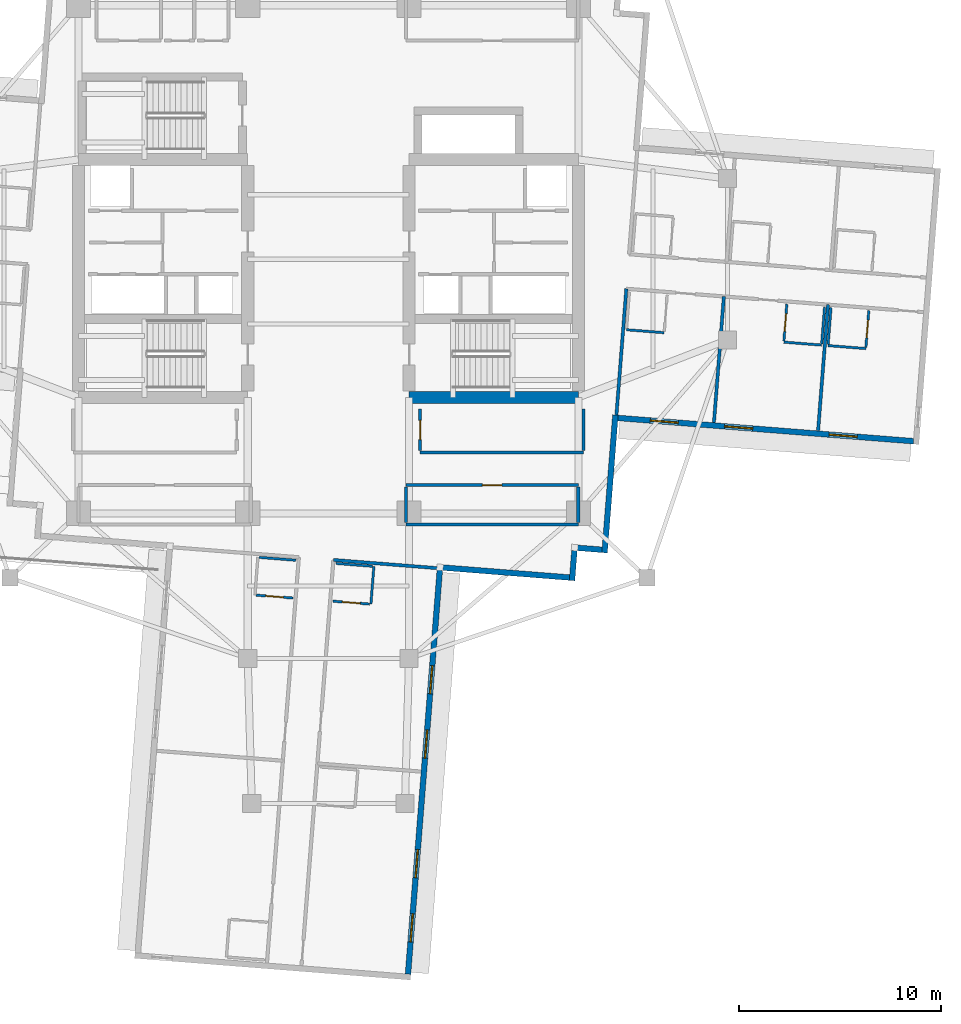
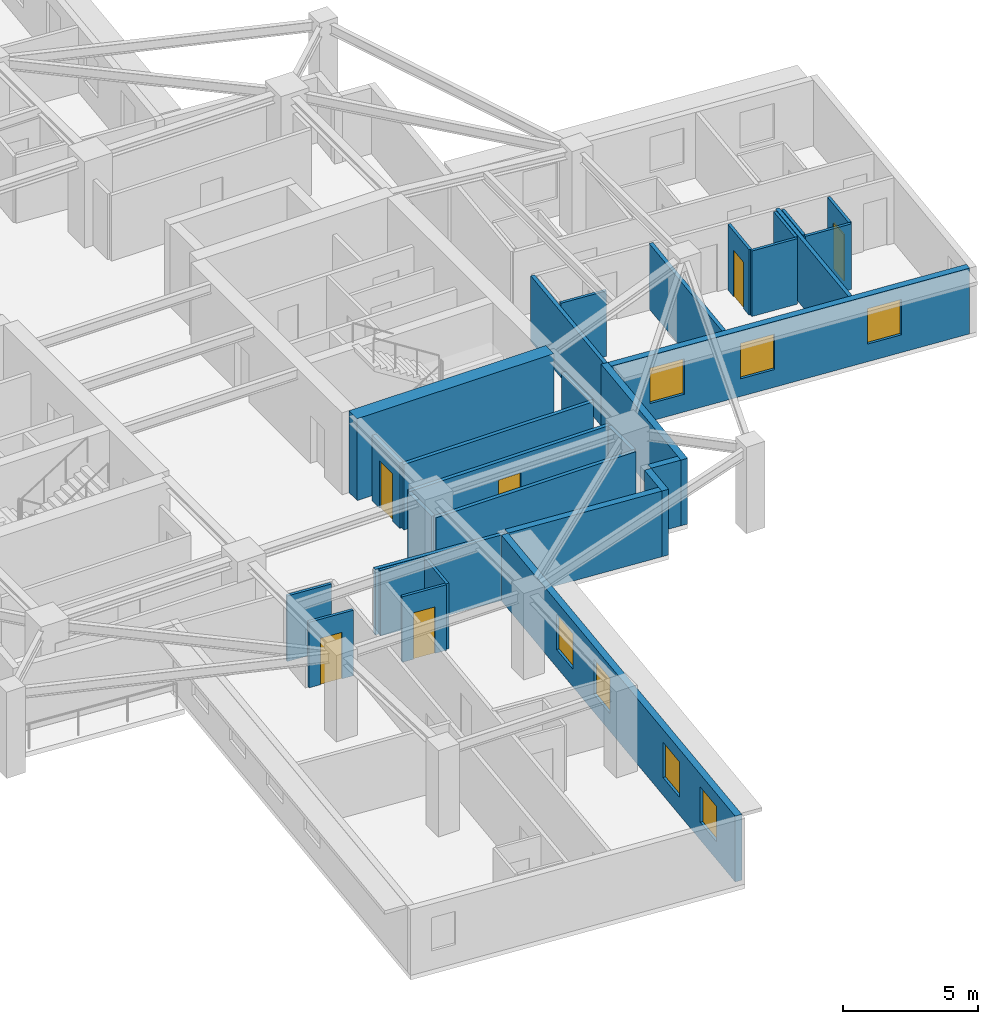
# One storey, part 4 of 14: 30 walls, 7 windows, 6 doors, 13 openings.
"""IFC4 building model written with IfcOpenShell, lengths in metres."""

from ifc_helpers import new_model, si_unit, direction, frame, frame_2d, origin, place, context, subcontext, project, spatial, rectangle, extrude, material, layer, layer_set, type_object, element, fill, save


model = new_model("IFC4")

# Units and contexts
model_context = context("Model", 3, precision=1e-05, world=origin(), true_north=direction((0.0, 1.0)))
body_context = subcontext(model_context, "Body", "Model", "MODEL_VIEW")
ifc_project = project(units=[si_unit("LENGTHUNIT", "METRE"), si_unit("AREAUNIT", "SQUARE_METRE"), si_unit("VOLUMEUNIT", "CUBIC_METRE"), si_unit("PLANEANGLEUNIT", "RADIAN"), si_unit("MASSUNIT", "GRAM", prefix="KILO")], contexts=[model_context])

# Site, building, storey
site_placement = place(None, origin())
site = spatial("IfcSite", under=ifc_project, at=site_placement, CompositionType="ELEMENT")
building_placement = place(site_placement, origin())
building = spatial("IfcBuilding", under=site, at=building_placement, Name="Qingluan Cross Belvedere", CompositionType="ELEMENT")
storey_placement = place(building_placement, frame((0.0, 0.0, 164.39990234375)))
storey = spatial("IfcBuildingStorey", under=building, at=storey_placement, Name="L41", CompositionType="ELEMENT", Elevation=164.39990234375)

# Walls
ifc_material_1 = material(Name="Concrete C60", Category="concrete")
ifc_layer_1 = layer(ifc_material_1, 0.60009765625, Name="CoreShearWall_600")
ifc_layer_set_1 = layer_set([ifc_layer_1], Name="Concrete C60")
wall_type_1 = type_object("IfcWallType", Name="CoreShearWall_600", PredefinedType="SHEAR", material=ifc_layer_set_1)
wall_1_placement = place(storey_placement, frame((4.0, -6.85009765625, 0.0), z_axis=(0.0, 0.0, 1.0), x_axis=(1.0, 0.0, 0.0)))
element("IfcWall", 1, at=wall_1_placement, inside=storey, type_object=wall_type_1, Name="Split core E shear wall L41-S", PredefinedType="SHEAR", context=body_context, shape_type="SweptSolid", body=[
    extrude(rectangle(XDim=8.39990234375, YDim=0.60009765625, at=frame_2d((4.199951171875, 0.0))), origin(), (0.0, 0.0, 1.0), 3.7001953125),
])
ifc_material_2 = material(Name="Gypsum plasterboard on steel stud acoustic partition", Category="steel")
ifc_layer_2 = layer(ifc_material_2, 0.159912109375, Name="CorridorPartition_160")
ifc_layer_set_2 = layer_set([ifc_layer_2], Name="Gypsum plasterboard on steel stud acoustic partition")
wall_type_2 = type_object("IfcWallType", Name="CorridorPartition_160", PredefinedType="PARTITIONING", material=ifc_layer_set_2)
wall_2_placement = place(storey_placement, frame((3.85009765625, -13.14990234375, 0.0), z_axis=(0.0, 0.0, 1.0), x_axis=(1.0, 0.0, 0.0)))
element("IfcWall", 2, at=wall_2_placement, inside=storey, type_object=wall_type_2, Name="Partition L41:q_se:S", PredefinedType="PARTITIONING", context=body_context, shape_type="SweptSolid", body=[
    extrude(rectangle(XDim=8.5498046875, YDim=0.159912109375, at=frame_2d((4.27490234375, 0.0))), origin(), (0.0, 0.0, 1.0), 2.960205078125),
])

# Wall, opening, door
wall_3_placement = place(storey_placement, frame((3.85009765625, -11.199951171875, 0.0), z_axis=(0.0, 0.0, 1.0), x_axis=(1.0, 0.0, 0.0)))
wall_3 = element("IfcWall", 3, at=wall_3_placement, inside=storey, type_object=wall_type_2, Name="Partition L41:q_se:N", PredefinedType="PARTITIONING", context=body_context, shape_type="SweptSolid", body=[
    extrude(rectangle(XDim=8.5498046875, YDim=0.159912109375, at=frame_2d((4.27490234375, 0.0))), origin(), (0.0, 0.0, 1.0), 2.960205078125),
])
opening_1_placement = place(wall_3_placement, frame((3.794921875, 0.0, 0.0)))
opening_1 = element("IfcOpeningElement", 4, at=opening_1_placement, cuts=wall_3, Name="Opening GD-10", PredefinedType="OPENING", context=body_context, shape_type="SweptSolid", body=[
    extrude(rectangle(XDim=0.9599609375, YDim=2.14990234375, at=frame_2d((0.47998046875, 1.074951171875))), frame((0.0, 0.08984375, 0.0), z_axis=(0.0, -1.0, 0.0), x_axis=(1.0, 0.0, 0.0)), (0.0, 0.0, 1.0), 0.179931640625),
])
ifc_material_3 = material(Name="Timber oak fire-rated acoustic guestroom door", Category="wood")
door_type_1 = type_object("IfcDoorType", Name="GuestEntryDoor_FD60", OperationType="NOTDEFINED", PredefinedType="DOOR", material=ifc_material_3)
door_1_placement = place(opening_1_placement, origin())
door_1 = element("IfcDoor", 5, at=door_1_placement, inside=storey, type_object=door_type_1, Name="Club cocktail lounge L41 door", OperationType="SINGLE_SWING_LEFT", OverallHeight=2.14990234375, OverallWidth=0.9599609375, PredefinedType="DOOR", context=body_context, shape_type="SweptSolid", body=[
    extrude(rectangle(XDim=0.9599609375, YDim=2.14990234375, at=frame_2d((0.47998046875, 1.074951171875))), frame((0.0, 0.02490234375, 0.0), z_axis=(0.0, -1.0, 0.0), x_axis=(1.0, 0.0, 0.0)), (0.0, 0.0, 1.0), 0.050048828125),
])
fill(opening_1, door_1)

# Walls
for number, where, z_axis, x_axis, name in (
    (6, (3.85009765625, -13.06494140625, 0.0), (0.0, 0.0, 1.0), (0.0, 1.0, 0.0), "Partition L41:q_se:W"),
    (7, (12.39990234375, -13.06494140625, 0.0), (0.0, 0.0, 1.0), (0.0, 1.0, 0.0), "Partition L41:q_se:E"),
):
    element("IfcWall", number, at=place(storey_placement, frame(where, z_axis=z_axis, x_axis=x_axis)), inside=storey, type_object=wall_type_2, Name=name, PredefinedType="PARTITIONING", context=body_context, shape_type="SweptSolid", body=[
        extrude(rectangle(XDim=1.780029296875, YDim=0.159912109375, at=frame_2d((0.89013671875, 0.0))), origin(), (0.0, 0.0, 1.0), 2.960205078125),
    ])
wall_4_placement = place(storey_placement, frame((4.550048828125, -9.580078125, 0.0), z_axis=(0.0, 0.0, 1.0), x_axis=(1.0, 0.0, 0.0)))
element("IfcWall", 8, at=wall_4_placement, inside=storey, type_object=wall_type_2, Name="Partition L41:rec_st4:S", PredefinedType="PARTITIONING", context=body_context, shape_type="SweptSolid", body=[
    extrude(rectangle(XDim=8.099853515625, YDim=0.159912109375, at=frame_2d((4.0498046875, 0.0))), origin(), (0.0, 0.0, 1.0), 2.960205078125),
])

# Wall, opening, door
wall_5_placement = place(storey_placement, frame((4.550048828125, -9.4951171875, 0.0), z_axis=(0.0, 0.0, 1.0), x_axis=(0.0, 1.0, 0.0)))
wall_5 = element("IfcWall", 9, at=wall_5_placement, inside=storey, type_object=wall_type_2, Name="Partition L41:rec_st4:W", PredefinedType="PARTITIONING", context=body_context, shape_type="SweptSolid", body=[
    extrude(rectangle(XDim=2.06005859375, YDim=0.159912109375, at=frame_2d((1.030029296875, 0.0))), origin(), (0.0, 0.0, 1.0), 2.960205078125),
])
opening_2_placement = place(wall_5_placement, frame((0.550048828125, 0.0, 0.0)))
opening_2 = element("IfcOpeningElement", 10, at=opening_2_placement, cuts=wall_5, Name="Opening GD-10", PredefinedType="OPENING", context=body_context, shape_type="SweptSolid", body=[
    extrude(rectangle(XDim=0.9599609375, YDim=2.14990234375, at=frame_2d((0.47998046875, 1.074951171875))), frame((0.0, 0.08984375, 0.0), z_axis=(0.0, -1.0, 0.0), x_axis=(1.0, 0.0, 0.0)), (0.0, 0.0, 1.0), 0.179931640625),
])
door_2_placement = place(opening_2_placement, origin())
door_2 = element("IfcDoor", 11, at=door_2_placement, inside=storey, type_object=door_type_1, Name="Southeast club library room L41 door", OperationType="SINGLE_SWING_RIGHT", OverallHeight=2.14990234375, OverallWidth=0.9599609375, PredefinedType="DOOR", context=body_context, shape_type="SweptSolid", body=[
    extrude(rectangle(XDim=0.9599609375, YDim=2.14990234375, at=frame_2d((0.47998046875, 1.074951171875))), frame((0.0, 0.02490234375, 0.0), z_axis=(0.0, -1.0, 0.0), x_axis=(1.0, 0.0, 0.0)), (0.0, 0.0, 1.0), 0.050048828125),
])
fill(opening_2, door_2)

# Walls
wall_6_placement = place(storey_placement, frame((12.64990234375, -9.4951171875, 0.0), z_axis=(0.0, 0.0, 1.0), x_axis=(0.0, 1.0, 0.0)))
element("IfcWall", 12, at=wall_6_placement, inside=storey, type_object=wall_type_2, Name="Partition L41:rec_st4:E", PredefinedType="PARTITIONING", context=body_context, shape_type="SweptSolid", body=[
    extrude(rectangle(XDim=2.06005859375, YDim=0.159912109375, at=frame_2d((1.030029296875, 0.0))), origin(), (0.0, 0.0, 1.0), 2.960205078125),
])
for number, where, z_axis, x_axis, name in (
    (13, (14.78076171875, -1.464111328125, 0.0), (0.0, 0.0, 1.0), (-0.078473432117, -0.996916205331, 0.0), "Partition L41:E:s1"),
    (14, (19.61767578125, -1.844970703125, 0.0), (0.0, 0.0, 1.0), (-0.078473432117, -0.996916205331, 0.0), "Partition L41:E:d1_0"),
):
    element("IfcWall", number, at=place(storey_placement, frame(where, z_axis=z_axis, x_axis=x_axis)), inside=storey, type_object=wall_type_2, Name=name, PredefinedType="PARTITIONING", context=body_context, shape_type="SweptSolid", body=[
        extrude(rectangle(XDim=6.27197265625, YDim=0.159912109375, at=frame_2d((3.135986328125, 0.0))), origin(), (0.0, 0.0, 1.0), 2.960205078125),
    ])
wall_7_placement = place(storey_placement, frame((24.78271484375, -2.25146484375, 0.0), z_axis=(0.0, 0.0, 1.0), x_axis=(-0.078476477418, -0.996915965612, 0.0)))
element("IfcWall", 15, at=wall_7_placement, inside=storey, type_object=wall_type_2, Name="Partition L41:E:d1_1", PredefinedType="PARTITIONING", context=body_context, shape_type="SweptSolid", body=[
    extrude(rectangle(XDim=6.271728515625, YDim=0.159912109375, at=frame_2d((3.1357421875, 0.0))), origin(), (0.0, 0.0, 1.0), 2.960205078125),
])
wall_8_placement = place(storey_placement, frame((0.25048828125, -14.91552734375, 0.0), z_axis=(0.0, 0.0, 1.0), x_axis=(0.996914675376, -0.07849286604, 0.0)))
element("IfcWall", 16, at=wall_8_placement, inside=storey, type_object=wall_type_2, Name="Partition L41:S:s0", PredefinedType="PARTITIONING", context=body_context, shape_type="SweptSolid", body=[
    extrude(rectangle(XDim=5.300048828125, YDim=0.159912109375, at=frame_2d((2.64990234375, 0.0))), origin(), (0.0, 0.0, 1.0), 2.960205078125),
])
ifc_material_4 = material(Name="Moisture-resistant gypsum board lining")
ifc_layer_3 = layer(ifc_material_4, 0.1201171875, Name="EnsuiteWetPartition_120")
ifc_layer_set_3 = layer_set([ifc_layer_3], Name="Moisture-resistant gypsum board lining")
wall_type_3 = type_object("IfcWallType", Name="EnsuiteWetPartition_120", PredefinedType="PARTITIONING", material=ifc_layer_set_3)
wall_9_placement = place(storey_placement, frame((14.78125, -3.49560546875, 0.0), z_axis=(0.0, 0.0, 1.0), x_axis=(0.996919293781, -0.07843418698, 0.0)))
element("IfcWall", 17, at=wall_9_placement, inside=storey, type_object=wall_type_3, Name="Partition L41:E:bc1_0", PredefinedType="PARTITIONING", context=body_context, shape_type="SweptSolid", body=[
    extrude(rectangle(XDim=1.880126953125, YDim=0.1201171875, at=frame_2d((0.93994140625, 0.0))), origin(), (0.0, 0.0, 1.0), 2.960205078125),
])

# Wall, opening, door
wall_10_placement = place(storey_placement, frame((22.59521484375, -4.04541015625, 0.0), z_axis=(0.0, 0.0, 1.0), x_axis=(0.0784709492, 0.996916400774, 0.0)))
wall_10 = element("IfcWall", 18, at=wall_10_placement, inside=storey, type_object=wall_type_3, Name="Partition L41:E:bs1_1", PredefinedType="PARTITIONING", context=body_context, shape_type="SweptSolid", body=[
    extrude(rectangle(XDim=1.820068359375, YDim=0.1201171875, at=frame_2d((0.91015625, 0.0))), origin(), (0.0, 0.0, 1.0), 2.960205078125),
])
opening_3_placement = place(wall_10_placement, frame((0.469970703125, 0.0, 0.0)))
opening_3 = element("IfcOpeningElement", 19, at=opening_3_placement, cuts=wall_10, Name="Opening BD-09", PredefinedType="OPENING", context=body_context, shape_type="SweptSolid", body=[
    extrude(rectangle(XDim=0.8798828125, YDim=2.10009765625, at=frame_2d((0.43994140625, 1.050048828125))), frame((0.0, 0.070068359375, 0.0), z_axis=(0.0, -1.0, 0.0), x_axis=(1.0, 0.0, 0.0)), (0.0, 0.0, 1.0), 0.14013671875),
])
ifc_material_5 = material(Name="Moisture-sealed timber en-suite door", Category="wood")
door_type_2 = type_object("IfcDoorType", Name="BathroomDoor_880", OperationType="NOTDEFINED", PredefinedType="DOOR", material=ifc_material_5)
door_3_placement = place(opening_3_placement, origin())
door_3 = element("IfcDoor", 20, at=door_3_placement, inside=storey, type_object=door_type_2, Name="Bathroom door 4105", OperationType="SINGLE_SWING_LEFT", OverallHeight=2.10009765625, OverallWidth=0.8798828125, PredefinedType="DOOR", context=body_context, shape_type="SweptSolid", body=[
    extrude(rectangle(XDim=0.8798828125, YDim=2.10009765625, at=frame_2d((0.43994140625, 1.050048828125))), frame((0.0, 0.02490234375, 0.0), z_axis=(0.0, -1.0, 0.0), x_axis=(1.0, 0.0, 0.0)), (0.0, 0.0, 1.0), 0.050048828125),
])
fill(opening_3, door_3)

# Walls
wall_11_placement = place(storey_placement, frame((24.469482421875, -4.19287109375, 0.0), z_axis=(0.0, 0.0, 1.0), x_axis=(0.0784709492, 0.996916400774, 0.0)))
element("IfcWall", 21, at=wall_11_placement, inside=storey, type_object=wall_type_3, Name="Partition L41:E:bw1_1", PredefinedType="PARTITIONING", context=body_context, shape_type="SweptSolid", body=[
    extrude(rectangle(XDim=1.820068359375, YDim=0.1201171875, at=frame_2d((0.91015625, 0.0))), origin(), (0.0, 0.0, 1.0), 2.960205078125),
])
wall_12_placement = place(storey_placement, frame((22.590087890625, -4.110107421875, 0.0), z_axis=(0.0, 0.0, 1.0), x_axis=(0.996919293781, -0.07843418698, 0.0)))
element("IfcWall", 22, at=wall_12_placement, inside=storey, type_object=wall_type_3, Name="Partition L41:E:bc1_1", PredefinedType="PARTITIONING", context=body_context, shape_type="SweptSolid", body=[
    extrude(rectangle(XDim=1.880126953125, YDim=0.1201171875, at=frame_2d((0.93994140625, 0.0))), origin(), (0.0, 0.0, 1.0), 2.960205078125),
])

# Wall, opening, door
wall_13_placement = place(storey_placement, frame((26.66259765625, -4.365478515625, 0.0), z_axis=(0.0, 0.0, 1.0), x_axis=(0.0784709492, 0.996916400774, 0.0)))
wall_13 = element("IfcWall", 23, at=wall_13_placement, inside=storey, type_object=wall_type_3, Name="Partition L41:E:bs1_2", PredefinedType="PARTITIONING", context=body_context, shape_type="SweptSolid", body=[
    extrude(rectangle(XDim=1.820068359375, YDim=0.1201171875, at=frame_2d((0.91015625, 0.0))), origin(), (0.0, 0.0, 1.0), 2.960205078125),
])
opening_4_placement = place(wall_13_placement, frame((0.469970703125, 0.0, 0.0)))
opening_4 = element("IfcOpeningElement", 24, at=opening_4_placement, cuts=wall_13, Name="Opening BD-09", PredefinedType="OPENING", context=body_context, shape_type="SweptSolid", body=[
    extrude(rectangle(XDim=0.8798828125, YDim=2.10009765625, at=frame_2d((0.43994140625, 1.050048828125))), frame((0.0, 0.070068359375, 0.0), z_axis=(0.0, -1.0, 0.0), x_axis=(1.0, 0.0, 0.0)), (0.0, 0.0, 1.0), 0.14013671875),
])
door_4_placement = place(opening_4_placement, origin())
door_4 = element("IfcDoor", 25, at=door_4_placement, inside=storey, type_object=door_type_2, Name="Bathroom door 4106", OperationType="SINGLE_SWING_LEFT", OverallHeight=2.10009765625, OverallWidth=0.8798828125, PredefinedType="DOOR", context=body_context, shape_type="SweptSolid", body=[
    extrude(rectangle(XDim=0.8798828125, YDim=2.10009765625, at=frame_2d((0.43994140625, 1.050048828125))), frame((0.0, 0.02490234375, 0.0), z_axis=(0.0, -1.0, 0.0), x_axis=(1.0, 0.0, 0.0)), (0.0, 0.0, 1.0), 0.050048828125),
])
fill(opening_4, door_4)

# Walls
wall_14_placement = place(storey_placement, frame((24.78857421875, -4.218017578125, 0.0), z_axis=(0.0, 0.0, 1.0), x_axis=(0.0784709492, 0.996916400774, 0.0)))
element("IfcWall", 26, at=wall_14_placement, inside=storey, type_object=wall_type_3, Name="Partition L41:E:bw1_2", PredefinedType="PARTITIONING", context=body_context, shape_type="SweptSolid", body=[
    extrude(rectangle(XDim=1.820068359375, YDim=0.1201171875, at=frame_2d((0.91015625, 0.0))), origin(), (0.0, 0.0, 1.0), 2.960205078125),
])
wall_15_placement = place(storey_placement, frame((24.783447265625, -4.28271484375, 0.0), z_axis=(0.0, 0.0, 1.0), x_axis=(0.996919293781, -0.07843418698, 0.0)))
element("IfcWall", 27, at=wall_15_placement, inside=storey, type_object=wall_type_3, Name="Partition L41:E:bc1_2", PredefinedType="PARTITIONING", context=body_context, shape_type="SweptSolid", body=[
    extrude(rectangle(XDim=1.880126953125, YDim=0.1201171875, at=frame_2d((0.93994140625, 0.0))), origin(), (0.0, 0.0, 1.0), 2.960205078125),
])

# Wall, opening, door
wall_16_placement = place(storey_placement, frame((0.22998046875, -16.960205078125, 0.0), z_axis=(0.0, 0.0, 1.0), x_axis=(0.996916400774, -0.0784709492, 0.0)))
wall_16 = element("IfcWall", 28, at=wall_16_placement, inside=storey, type_object=wall_type_3, Name="Partition L41:S:bs0_0", PredefinedType="PARTITIONING", context=body_context, shape_type="SweptSolid", body=[
    extrude(rectangle(XDim=1.820068359375, YDim=0.1201171875, at=frame_2d((0.91015625, 0.0))), origin(), (0.0, 0.0, 1.0), 2.960205078125),
])
opening_5_placement = place(wall_16_placement, frame((0.469970703125, 0.0, 0.0)))
opening_5 = element("IfcOpeningElement", 29, at=opening_5_placement, cuts=wall_16, Name="Opening BD-09", PredefinedType="OPENING", context=body_context, shape_type="SweptSolid", body=[
    extrude(rectangle(XDim=0.8798828125, YDim=2.10009765625, at=frame_2d((0.43994140625, 1.050048828125))), frame((0.0, 0.070068359375, 0.0), z_axis=(0.0, -1.0, 0.0), x_axis=(1.0, 0.0, 0.0)), (0.0, 0.0, 1.0), 0.14013671875),
])
door_5_placement = place(opening_5_placement, origin())
door_5 = element("IfcDoor", 30, at=door_5_placement, inside=storey, type_object=door_type_2, Name="Bathroom door 4117", OperationType="SINGLE_SWING_LEFT", OverallHeight=2.10009765625, OverallWidth=0.8798828125, PredefinedType="DOOR", context=body_context, shape_type="SweptSolid", body=[
    extrude(rectangle(XDim=0.8798828125, YDim=2.10009765625, at=frame_2d((0.43994140625, 1.050048828125))), frame((0.0, 0.02490234375, 0.0), z_axis=(0.0, -1.0, 0.0), x_axis=(1.0, 0.0, 0.0)), (0.0, 0.0, 1.0), 0.050048828125),
])
fill(opening_5, door_5)

# Walls
wall_17_placement = place(storey_placement, frame((0.37744140625, -15.086181640625, 0.0), z_axis=(0.0, 0.0, 1.0), x_axis=(0.996916400774, -0.0784709492, 0.0)))
element("IfcWall", 31, at=wall_17_placement, inside=storey, type_object=wall_type_3, Name="Partition L41:S:bw0_0", PredefinedType="PARTITIONING", context=body_context, shape_type="SweptSolid", body=[
    extrude(rectangle(XDim=1.820068359375, YDim=0.1201171875, at=frame_2d((0.91015625, 0.0))), origin(), (0.0, 0.0, 1.0), 2.960205078125),
])
wall_18_placement = place(storey_placement, frame((2.256591796875, -15.23388671875, 0.0), z_axis=(0.0, 0.0, 1.0), x_axis=(-0.07843418698, -0.996919293781, 0.0)))
element("IfcWall", 32, at=wall_18_placement, inside=storey, type_object=wall_type_3, Name="Partition L41:S:bn0_0", PredefinedType="PARTITIONING", context=body_context, shape_type="SweptSolid", body=[
    extrude(rectangle(XDim=1.880126953125, YDim=0.1201171875, at=frame_2d((0.93994140625, 0.0))), origin(), (0.0, 0.0, 1.0), 2.960205078125),
])

# Wall, opening, door
wall_19_placement = place(storey_placement, frame((-3.578125, -16.66064453125, 0.0), z_axis=(0.0, 0.0, 1.0), x_axis=(0.996915574626, -0.078481444107, 0.0)))
wall_19 = element("IfcWall", 33, at=wall_19_placement, inside=storey, type_object=wall_type_3, Name="Partition L41:S:bs1_0", PredefinedType="PARTITIONING", context=body_context, shape_type="SweptSolid", body=[
    extrude(rectangle(XDim=1.81982421875, YDim=0.1201171875, at=frame_2d((0.909912109375, 0.0))), origin(), (0.0, 0.0, 1.0), 2.960205078125),
])
opening_6_placement = place(wall_19_placement, frame((0.469970703125, 0.0, 0.0)))
opening_6 = element("IfcOpeningElement", 34, at=opening_6_placement, cuts=wall_19, Name="Opening BD-09", PredefinedType="OPENING", context=body_context, shape_type="SweptSolid", body=[
    extrude(rectangle(XDim=0.8798828125, YDim=2.10009765625, at=frame_2d((0.43994140625, 1.050048828125))), frame((0.0, 0.070068359375, 0.0), z_axis=(0.0, -1.0, 0.0), x_axis=(1.0, 0.0, 0.0)), (0.0, 0.0, 1.0), 0.14013671875),
])
door_6_placement = place(opening_6_placement, origin())
door_6 = element("IfcDoor", 35, at=door_6_placement, inside=storey, type_object=door_type_2, Name="Bathroom door 4119", OperationType="SINGLE_SWING_LEFT", OverallHeight=2.10009765625, OverallWidth=0.8798828125, PredefinedType="DOOR", context=body_context, shape_type="SweptSolid", body=[
    extrude(rectangle(XDim=0.8798828125, YDim=2.10009765625, at=frame_2d((0.43994140625, 1.050048828125))), frame((0.0, 0.02490234375, 0.0), z_axis=(0.0, -1.0, 0.0), x_axis=(1.0, 0.0, 0.0)), (0.0, 0.0, 1.0), 0.050048828125),
])
fill(opening_6, door_6)

# Wall
wall_20_placement = place(storey_placement, frame((-3.4306640625, -14.786376953125, 0.0), z_axis=(0.0, 0.0, 1.0), x_axis=(0.996916400774, -0.0784709492, 0.0)))
element("IfcWall", 36, at=wall_20_placement, inside=storey, type_object=wall_type_3, Name="Partition L41:S:bw1_0", PredefinedType="PARTITIONING", context=body_context, shape_type="SweptSolid", body=[
    extrude(rectangle(XDim=1.820068359375, YDim=0.1201171875, at=frame_2d((0.91015625, 0.0))), origin(), (0.0, 0.0, 1.0), 2.960205078125),
])

# Wall, openings, windows
ifc_material_6 = material(Name="Precast concrete C45", Category="concrete")
ifc_layer_4 = layer(ifc_material_6, 0.280029296875, Name="PrecastFacadeWall_280")
ifc_layer_set_4 = layer_set([ifc_layer_4], Name="Precast concrete C45")
wall_type_4 = type_object("IfcWallType", Name="PrecastFacadeWall_280", PredefinedType="STANDARD", material=ifc_layer_set_4)
wall_21_placement = place(storey_placement, frame((14.36669921875, -7.87158203125, 0.0), z_axis=(0.0, 0.0, 1.0), x_axis=(0.996917526837, -0.078456642068, 0.0)))
wall_21 = element("IfcWall", 37, at=wall_21_placement, inside=storey, type_object=wall_type_4, Name="Facade wall L41-EA", PredefinedType="STANDARD", context=body_context, shape_type="SweptSolid", body=[
    extrude(rectangle(XDim=14.7001953125, YDim=0.280029296875, at=frame_2d((7.35009765625, 0.0))), origin(), (0.0, 0.0, 1.0), 2.97021484375),
])
opening_7_placement = place(wall_21_placement, frame((1.60009765625, 0.0, 0.800048828125)))
opening_7 = element("IfcOpeningElement", 38, at=opening_7_placement, cuts=wall_21, Name="Opening W-01", PredefinedType="OPENING", context=body_context, shape_type="SweptSolid", body=[
    extrude(rectangle(XDim=1.39990234375, YDim=1.60009765625, at=frame_2d((0.699951171875, 0.800048828125))), frame((0.0, 0.14990234375, 0.0), z_axis=(0.0, -1.0, 0.0), x_axis=(1.0, 0.0, 0.0)), (0.0, 0.0, 1.0), 0.300048828125),
])
opening_8_placement = place(wall_21_placement, frame((5.300048828125, 0.0, 0.800048828125)))
opening_8 = element("IfcOpeningElement", 39, at=opening_8_placement, cuts=wall_21, Name="Opening W-01", PredefinedType="OPENING", context=body_context, shape_type="SweptSolid", body=[
    extrude(rectangle(XDim=1.39990234375, YDim=1.60009765625, at=frame_2d((0.699951171875, 0.800048828125))), frame((0.0, 0.14990234375, 0.0), z_axis=(0.0, -1.0, 0.0), x_axis=(1.0, 0.0, 0.0)), (0.0, 0.0, 1.0), 0.300048828125),
])
opening_9_placement = place(wall_21_placement, frame((10.5, 0.0, 0.800048828125)))
opening_9 = element("IfcOpeningElement", 40, at=opening_9_placement, cuts=wall_21, Name="Opening W-01", PredefinedType="OPENING", context=body_context, shape_type="SweptSolid", body=[
    extrude(rectangle(XDim=1.39990234375, YDim=1.60009765625, at=frame_2d((0.699951171875, 0.800048828125))), frame((0.0, 0.14990234375, 0.0), z_axis=(0.0, -1.0, 0.0), x_axis=(1.0, 0.0, 0.0)), (0.0, 0.0, 1.0), 0.300048828125),
])
ifc_material_7 = material(Name="Thermally broken triple Low-E glass in aluminium frame", Category="aluminium")
window_type = type_object("IfcWindowType", Name="TriRibbonWin_1400x1600", PartitioningType="SINGLE_PANEL", PredefinedType="WINDOW", material=ifc_material_7)
window_1_placement = place(opening_7_placement, origin())
window_1 = element("IfcWindow", 41, at=window_1_placement, inside=storey, type_object=window_type, Name="Ribbon window L41-EA-1", OverallHeight=1.60009765625, OverallWidth=1.39990234375, PartitioningType="SINGLE_PANEL", PredefinedType="WINDOW", context=body_context, shape_type="SweptSolid", body=[
    extrude(rectangle(XDim=1.39990234375, YDim=1.60009765625, at=frame_2d((0.699951171875, 0.800048828125))), frame((0.0, 0.030029296875, 0.0), z_axis=(0.0, -1.0, 0.0), x_axis=(1.0, 0.0, 0.0)), (0.0, 0.0, 1.0), 0.06005859375),
])
fill(opening_7, window_1)
window_2_placement = place(opening_8_placement, origin())
window_2 = element("IfcWindow", 42, at=window_2_placement, inside=storey, type_object=window_type, Name="Ribbon window L41-EA-2", OverallHeight=1.60009765625, OverallWidth=1.39990234375, PartitioningType="SINGLE_PANEL", PredefinedType="WINDOW", context=body_context, shape_type="SweptSolid", body=[
    extrude(rectangle(XDim=1.39990234375, YDim=1.60009765625, at=frame_2d((0.699951171875, 0.800048828125))), frame((0.0, 0.030029296875, 0.0), z_axis=(0.0, -1.0, 0.0), x_axis=(1.0, 0.0, 0.0)), (0.0, 0.0, 1.0), 0.06005859375),
])
fill(opening_8, window_2)
window_3_placement = place(opening_9_placement, origin())
window_3 = element("IfcWindow", 43, at=window_3_placement, inside=storey, type_object=window_type, Name="Ribbon window L41-EA-3", OverallHeight=1.60009765625, OverallWidth=1.39990234375, PartitioningType="SINGLE_PANEL", PredefinedType="WINDOW", context=body_context, shape_type="SweptSolid", body=[
    extrude(rectangle(XDim=1.39990234375, YDim=1.60009765625, at=frame_2d((0.699951171875, 0.800048828125))), frame((0.0, 0.030029296875, 0.0), z_axis=(0.0, -1.0, 0.0), x_axis=(1.0, 0.0, 0.0)), (0.0, 0.0, 1.0), 0.06005859375),
])
fill(opening_9, window_3)

wall_22_placement = place(storey_placement, frame((3.9501953125, -35.459228515625, 0.0), z_axis=(0.0, 0.0, 1.0), x_axis=(0.078452802979, 0.996917828963, 0.0)))
wall_22 = element("IfcWall", 44, at=wall_22_placement, inside=storey, type_object=wall_type_4, Name="Facade wall L41-SB", PredefinedType="STANDARD", context=body_context, shape_type="SweptSolid", body=[
    extrude(rectangle(XDim=20.10009765625, YDim=0.280029296875, at=frame_2d((10.050048828125, 0.0))), origin(), (0.0, 0.0, 1.0), 2.97021484375),
])
opening_10_placement = place(wall_22_placement, frame((1.60009765625, 0.0, 0.800048828125)))
opening_10 = element("IfcOpeningElement", 45, at=opening_10_placement, cuts=wall_22, Name="Opening W-01", PredefinedType="OPENING", context=body_context, shape_type="SweptSolid", body=[
    extrude(rectangle(XDim=1.39990234375, YDim=1.60009765625, at=frame_2d((0.699951171875, 0.800048828125))), frame((0.0, 0.14990234375, 0.0), z_axis=(0.0, -1.0, 0.0), x_axis=(1.0, 0.0, 0.0)), (0.0, 0.0, 1.0), 0.300048828125),
])
opening_11_placement = place(wall_22_placement, frame((4.800048828125, 0.0, 0.800048828125)))
opening_11 = element("IfcOpeningElement", 46, at=opening_11_placement, cuts=wall_22, Name="Opening W-01", PredefinedType="OPENING", context=body_context, shape_type="SweptSolid", body=[
    extrude(rectangle(XDim=1.39990234375, YDim=1.60009765625, at=frame_2d((0.699951171875, 0.800048828125))), frame((0.0, 0.14990234375, 0.0), z_axis=(0.0, -1.0, 0.0), x_axis=(1.0, 0.0, 0.0)), (0.0, 0.0, 1.0), 0.300048828125),
])
opening_12_placement = place(wall_22_placement, frame((10.75, 0.0, 0.800048828125)))
opening_12 = element("IfcOpeningElement", 47, at=opening_12_placement, cuts=wall_22, Name="Opening W-01", PredefinedType="OPENING", context=body_context, shape_type="SweptSolid", body=[
    extrude(rectangle(XDim=1.39990234375, YDim=1.60009765625, at=frame_2d((0.699951171875, 0.800048828125))), frame((0.0, 0.14990234375, 0.0), z_axis=(0.0, -1.0, 0.0), x_axis=(1.0, 0.0, 0.0)), (0.0, 0.0, 1.0), 0.300048828125),
])
opening_13_placement = place(wall_22_placement, frame((13.949951171875, 0.0, 0.800048828125)))
opening_13 = element("IfcOpeningElement", 48, at=opening_13_placement, cuts=wall_22, Name="Opening W-01", PredefinedType="OPENING", context=body_context, shape_type="SweptSolid", body=[
    extrude(rectangle(XDim=1.39990234375, YDim=1.60009765625, at=frame_2d((0.699951171875, 0.800048828125))), frame((0.0, 0.14990234375, 0.0), z_axis=(0.0, -1.0, 0.0), x_axis=(1.0, 0.0, 0.0)), (0.0, 0.0, 1.0), 0.300048828125),
])
window_4_placement = place(opening_10_placement, origin())
window_4 = element("IfcWindow", 49, at=window_4_placement, inside=storey, type_object=window_type, Name="Ribbon window L41-SB-1", OverallHeight=1.60009765625, OverallWidth=1.39990234375, PartitioningType="SINGLE_PANEL", PredefinedType="WINDOW", context=body_context, shape_type="SweptSolid", body=[
    extrude(rectangle(XDim=1.39990234375, YDim=1.60009765625, at=frame_2d((0.699951171875, 0.800048828125))), frame((0.0, 0.030029296875, 0.0), z_axis=(0.0, -1.0, 0.0), x_axis=(1.0, 0.0, 0.0)), (0.0, 0.0, 1.0), 0.06005859375),
])
fill(opening_10, window_4)
window_5_placement = place(opening_11_placement, origin())
window_5 = element("IfcWindow", 50, at=window_5_placement, inside=storey, type_object=window_type, Name="Ribbon window L41-SB-2", OverallHeight=1.60009765625, OverallWidth=1.39990234375, PartitioningType="SINGLE_PANEL", PredefinedType="WINDOW", context=body_context, shape_type="SweptSolid", body=[
    extrude(rectangle(XDim=1.39990234375, YDim=1.60009765625, at=frame_2d((0.699951171875, 0.800048828125))), frame((0.0, 0.030029296875, 0.0), z_axis=(0.0, -1.0, 0.0), x_axis=(1.0, 0.0, 0.0)), (0.0, 0.0, 1.0), 0.06005859375),
])
fill(opening_11, window_5)
window_6_placement = place(opening_12_placement, origin())
window_6 = element("IfcWindow", 51, at=window_6_placement, inside=storey, type_object=window_type, Name="Ribbon window L41-SB-3", OverallHeight=1.60009765625, OverallWidth=1.39990234375, PartitioningType="SINGLE_PANEL", PredefinedType="WINDOW", context=body_context, shape_type="SweptSolid", body=[
    extrude(rectangle(XDim=1.39990234375, YDim=1.60009765625, at=frame_2d((0.699951171875, 0.800048828125))), frame((0.0, 0.030029296875, 0.0), z_axis=(0.0, -1.0, 0.0), x_axis=(1.0, 0.0, 0.0)), (0.0, 0.0, 1.0), 0.06005859375),
])
fill(opening_12, window_6)
window_7_placement = place(opening_13_placement, origin())
window_7 = element("IfcWindow", 52, at=window_7_placement, inside=storey, type_object=window_type, Name="Ribbon window L41-SB-4", OverallHeight=1.60009765625, OverallWidth=1.39990234375, PartitioningType="SINGLE_PANEL", PredefinedType="WINDOW", context=body_context, shape_type="SweptSolid", body=[
    extrude(rectangle(XDim=1.39990234375, YDim=1.60009765625, at=frame_2d((0.699951171875, 0.800048828125))), frame((0.0, 0.030029296875, 0.0), z_axis=(0.0, -1.0, 0.0), x_axis=(1.0, 0.0, 0.0)), (0.0, 0.0, 1.0), 0.06005859375),
])
fill(opening_13, window_7)

# Walls
wall_23_placement = place(storey_placement, frame((14.238037109375, -7.720947265625, 0.0), z_axis=(0.0, 0.0, 1.0), x_axis=(-0.078438149236, -0.996918982036, 0.0)))
element("IfcWall", 53, at=wall_23_placement, inside=storey, type_object=wall_type_4, Name="Corner wall L41-SE1", PredefinedType="STANDARD", context=body_context, shape_type="SweptSolid", body=[
    extrude(rectangle(XDim=6.860107421875, YDim=0.280029296875, at=frame_2d((3.43017578125, 0.0))), origin(), (0.0, 0.0, 1.0), 2.97021484375),
])
wall_24_placement = place(storey_placement, frame((13.5712890625, -14.4091796875, 0.0), z_axis=(0.0, 0.0, 1.0), x_axis=(-0.996918772, 0.078440818672, 0.0)))
element("IfcWall", 54, at=wall_24_placement, inside=storey, type_object=wall_type_4, Name="Corner wall L41-SE2", PredefinedType="STANDARD", context=body_context, shape_type="SweptSolid", body=[
    extrude(rectangle(XDim=1.219970703125, YDim=0.280029296875, at=frame_2d((0.60986328125, 0.0))), origin(), (0.0, 0.0, 1.0), 2.97021484375),
])
wall_25_placement = place(storey_placement, frame((12.20458984375, -14.442138671875, 0.0), z_axis=(0.0, 0.0, 1.0), x_axis=(-0.078451338629, -0.9969179442, 0.0)))
element("IfcWall", 55, at=wall_25_placement, inside=storey, type_object=wall_type_4, Name="Corner wall L41-SE3", PredefinedType="STANDARD", context=body_context, shape_type="SweptSolid", body=[
    extrude(rectangle(XDim=1.5, YDim=0.280029296875, at=frame_2d((0.75, 0.0))), origin(), (0.0, 0.0, 1.0), 2.97021484375),
])
wall_26_placement = place(storey_placement, frame((11.958251953125, -15.786865234375, 0.0), z_axis=(0.0, 0.0, 1.0), x_axis=(-0.996916125428, 0.078474447191, 0.0)))
element("IfcWall", 56, at=wall_26_placement, inside=storey, type_object=wall_type_4, Name="Corner wall L41-SE4", PredefinedType="STANDARD", context=body_context, shape_type="SweptSolid", body=[
    extrude(rectangle(XDim=6.300048828125, YDim=0.280029296875, at=frame_2d((3.14990234375, 0.0))), origin(), (0.0, 0.0, 1.0), 2.97021484375),
])

save(model, "model.ifc")
